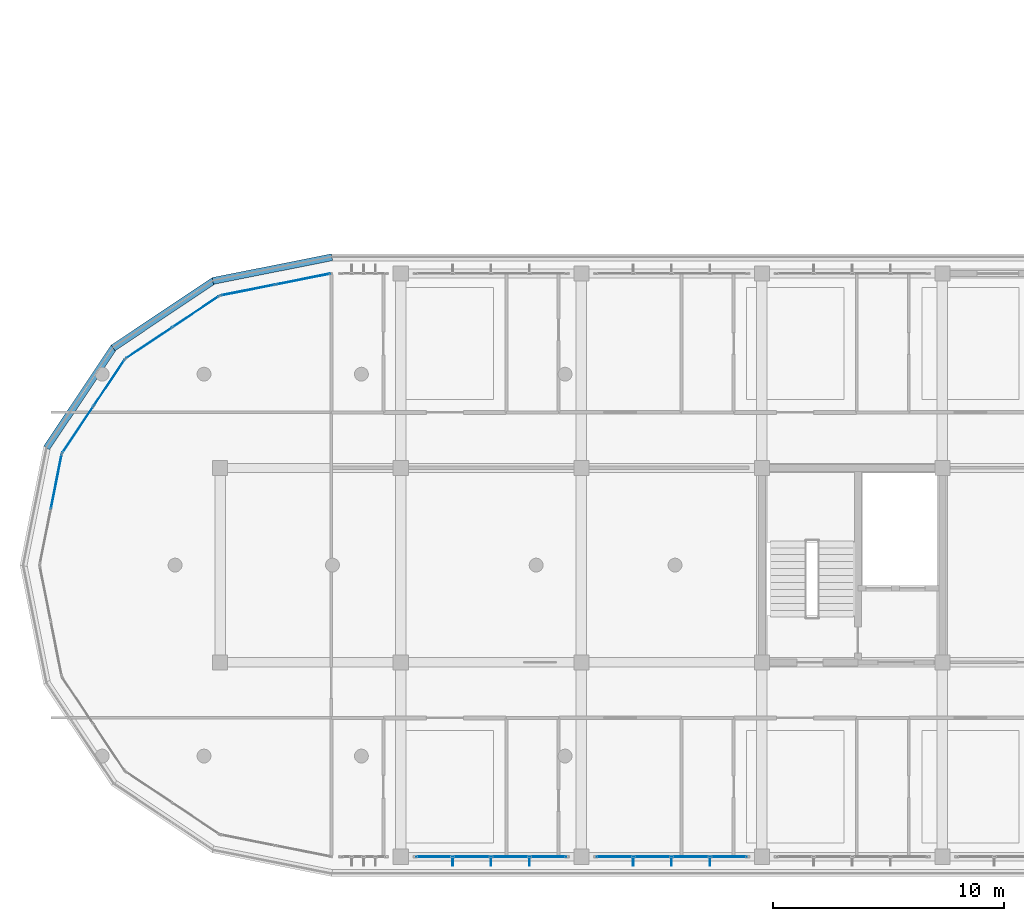
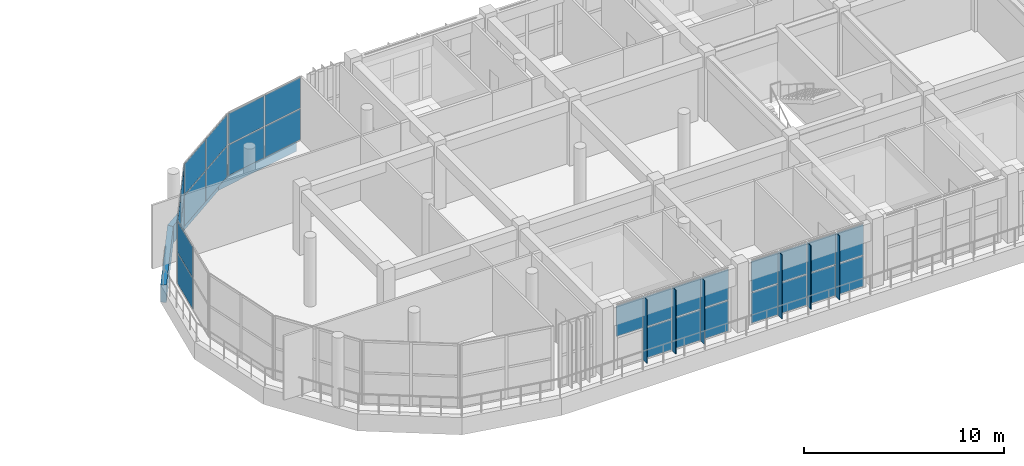
# One storey, part 38 of 63: 38 plates, 6 elements without a shape of their own.
"""IFC4 building model written with IfcOpenShell, lengths in metres."""

from ifc_helpers import new_model, si_unit, direction, frame, origin, origin_2d, place, context, subcontext, project, spatial, polyline, rectangle, outline, extrude, material, layer, layer_set, type_object, element, aggregate, save


model = new_model("IFC4")

# Units and contexts
model_context = context("Model", 3, precision=1e-05, world=origin(), true_north=direction((0.0, 1.0)))
body_context = subcontext(model_context, "Body", "Model", "MODEL_VIEW")
ifc_project = project(units=[si_unit("LENGTHUNIT", "METRE"), si_unit("AREAUNIT", "SQUARE_METRE"), si_unit("VOLUMEUNIT", "CUBIC_METRE"), si_unit("PLANEANGLEUNIT", "RADIAN"), si_unit("MASSUNIT", "GRAM", prefix="KILO")], contexts=[model_context])

# Site, building, storey
site_placement = place(None, origin())
site = spatial("IfcSite", under=ifc_project, at=site_placement, CompositionType="ELEMENT")
building_placement = place(site_placement, origin())
building = spatial("IfcBuilding", under=site, at=building_placement, Name="Zizhar Promenade General Hospital", CompositionType="ELEMENT")
storey_placement = place(building_placement, frame((0.0, 0.0, 18.0)))
storey = spatial("IfcBuildingStorey", under=building, at=storey_placement, Name="L04", CompositionType="ELEMENT", Elevation=18.0)

# Curtain wall, plates
ifc_material_1 = material(Name="Anodised aluminium 6063-T6 and low-E glass", Category="aluminium")
ifc_layer_1 = layer(ifc_material_1, 0.159912109375)
ifc_layer_set_1 = layer_set([ifc_layer_1], Name="Anodised aluminium 6063-T6 and low-E glass")
curtain_wall_type_1 = type_object("IfcCurtainWallType", Name="CW-WARD-ARC", PredefinedType="NOTDEFINED", material=ifc_layer_set_1)
curtain_wall_1_placement = place(storey_placement, origin())
curtain_wall_1 = element("IfcCurtainWall", 1, at=curtain_wall_1_placement, inside=storey, type_object=curtain_wall_type_1, Name="Ward Semicircular End Glazing L04-10", PredefinedType="NOTDEFINED")
ifc_material_2 = material(Name="Low-E solar-control glass", Category="glass")
ifc_layer_2 = layer(ifc_material_2, 0.031982421875)
ifc_layer_set_2 = layer_set([ifc_layer_2], Name="Low-E solar-control glass")
plate_type_1 = type_object("IfcPlateType", Name="CWP-GLZ-32", PredefinedType="CURTAIN_PANEL", material=ifc_layer_set_2)
plate_1_placement = place(storey_placement, frame((24.598388671875, 24.483642578125, 0.06005859375), z_axis=(0.0, 0.0, 1.0), x_axis=(0.980785889615, 0.195087259275, 0.0)))
plate_1 = element("IfcPlate", 2, at=plate_1_placement, type_object=plate_type_1, Name="CW-12 panel 1.1", PredefinedType="CURTAIN_PANEL", context=body_context, shape_type="SweptSolid", body=[
    extrude(rectangle(XDim=2.3681640625, YDim=0.031982421875, at=origin_2d()), origin(), (0.0, 0.0, 1.0), 1.860107421875),
])
plate_2_placement = place(storey_placement, frame((24.598388671875, 24.483642578125, 1.97998046875), z_axis=(0.0, 0.0, 1.0), x_axis=(0.980785889615, 0.195087259275, 0.0)))
plate_2 = element("IfcPlate", 3, at=plate_2_placement, type_object=plate_type_1, Name="CW-12 panel 1.2", PredefinedType="CURTAIN_PANEL", context=body_context, shape_type="SweptSolid", body=[
    extrude(rectangle(XDim=2.3681640625, YDim=0.031982421875, at=origin_2d()), origin(), (0.0, 0.0, 1.0), 1.860107421875),
])
plate_3_placement = place(storey_placement, frame((26.979736328125, 24.957275390625, 0.06005859375), z_axis=(0.0, 0.0, 1.0), x_axis=(0.980785889615, 0.195087259275, 0.0)))
plate_3 = element("IfcPlate", 4, at=plate_3_placement, type_object=plate_type_1, Name="CW-12 panel 2.1", PredefinedType="CURTAIN_PANEL", context=body_context, shape_type="SweptSolid", body=[
    extrude(rectangle(XDim=2.3681640625, YDim=0.031982421875, at=origin_2d()), origin(), (0.0, 0.0, 1.0), 1.860107421875),
])
plate_4_placement = place(storey_placement, frame((26.979736328125, 24.957275390625, 1.97998046875), z_axis=(0.0, 0.0, 1.0), x_axis=(0.980785889615, 0.195087259275, 0.0)))
plate_4 = element("IfcPlate", 5, at=plate_4_placement, type_object=plate_type_1, Name="CW-12 panel 2.2", PredefinedType="CURTAIN_PANEL", context=body_context, shape_type="SweptSolid", body=[
    extrude(rectangle(XDim=2.3681640625, YDim=0.031982421875, at=origin_2d()), origin(), (0.0, 0.0, 1.0), 1.860107421875),
])
aggregate(curtain_wall_1, [plate_1, plate_2, plate_3, plate_4])

curtain_wall_2_placement = place(storey_placement, origin())
curtain_wall_2 = element("IfcCurtainWall", 6, at=curtain_wall_2_placement, inside=storey, type_object=curtain_wall_type_1, Name="Ward Semicircular End Glazing L04-11", PredefinedType="NOTDEFINED")
plate_5_placement = place(storey_placement, frame((20.324951171875, 22.20068359375, 0.06005859375), z_axis=(0.0, 0.0, 1.0), x_axis=(0.831461514468, 0.555582352095, 0.0)))
plate_5 = element("IfcPlate", 7, at=plate_5_placement, type_object=plate_type_1, Name="CW-12 panel 1.1", PredefinedType="CURTAIN_PANEL", context=body_context, shape_type="SweptSolid", body=[
    extrude(rectangle(XDim=2.3681640625, YDim=0.031982421875, at=origin_2d()), origin(), (0.0, 0.0, 1.0), 1.860107421875),
])
plate_6_placement = place(storey_placement, frame((20.324951171875, 22.20068359375, 1.97998046875), z_axis=(0.0, 0.0, 1.0), x_axis=(0.831461514468, 0.555582352095, 0.0)))
plate_6 = element("IfcPlate", 8, at=plate_6_placement, type_object=plate_type_1, Name="CW-12 panel 1.2", PredefinedType="CURTAIN_PANEL", context=body_context, shape_type="SweptSolid", body=[
    extrude(rectangle(XDim=2.3681640625, YDim=0.031982421875, at=origin_2d()), origin(), (0.0, 0.0, 1.0), 1.860107421875),
])
plate_7_placement = place(storey_placement, frame((22.34375, 23.5498046875, 0.06005859375), z_axis=(0.0, 0.0, 1.0), x_axis=(0.831461514468, 0.555582352095, 0.0)))
plate_7 = element("IfcPlate", 9, at=plate_7_placement, type_object=plate_type_1, Name="CW-12 panel 2.1", PredefinedType="CURTAIN_PANEL", context=body_context, shape_type="SweptSolid", body=[
    extrude(rectangle(XDim=2.3681640625, YDim=0.031982421875, at=origin_2d()), origin(), (0.0, 0.0, 1.0), 1.860107421875),
])
plate_8_placement = place(storey_placement, frame((22.34375, 23.5498046875, 1.97998046875), z_axis=(0.0, 0.0, 1.0), x_axis=(0.831461514468, 0.555582352095, 0.0)))
plate_8 = element("IfcPlate", 10, at=plate_8_placement, type_object=plate_type_1, Name="CW-12 panel 2.2", PredefinedType="CURTAIN_PANEL", context=body_context, shape_type="SweptSolid", body=[
    extrude(rectangle(XDim=2.3681640625, YDim=0.031982421875, at=origin_2d()), origin(), (0.0, 0.0, 1.0), 1.860107421875),
])
aggregate(curtain_wall_2, [plate_5, plate_6, plate_7, plate_8])

curtain_wall_3_placement = place(storey_placement, origin())
curtain_wall_3 = element("IfcCurtainWall", 11, at=curtain_wall_3_placement, inside=storey, type_object=curtain_wall_type_1, Name="Ward Semicircular End Glazing L04-12", PredefinedType="NOTDEFINED")
plate_9_placement = place(storey_placement, frame((17.250244140625, 18.456298828125, 0.06005859375), z_axis=(0.0, 0.0, 1.0), x_axis=(0.555582352095, 0.831461514468, 0.0)))
plate_9 = element("IfcPlate", 12, at=plate_9_placement, type_object=plate_type_1, Name="CW-12 panel 1.1", PredefinedType="CURTAIN_PANEL", context=body_context, shape_type="SweptSolid", body=[
    extrude(rectangle(XDim=2.3681640625, YDim=0.031982421875, at=origin_2d()), origin(), (0.0, 0.0, 1.0), 1.860107421875),
])
plate_10_placement = place(storey_placement, frame((17.250244140625, 18.456298828125, 1.97998046875), z_axis=(0.0, 0.0, 1.0), x_axis=(0.555582352095, 0.831461514468, 0.0)))
plate_10 = element("IfcPlate", 13, at=plate_10_placement, type_object=plate_type_1, Name="CW-12 panel 1.2", PredefinedType="CURTAIN_PANEL", context=body_context, shape_type="SweptSolid", body=[
    extrude(rectangle(XDim=2.3681640625, YDim=0.031982421875, at=origin_2d()), origin(), (0.0, 0.0, 1.0), 1.860107421875),
])
plate_11_placement = place(storey_placement, frame((18.599365234375, 20.47509765625, 0.06005859375), z_axis=(0.0, 0.0, 1.0), x_axis=(0.555582352095, 0.831461514468, 0.0)))
plate_11 = element("IfcPlate", 14, at=plate_11_placement, type_object=plate_type_1, Name="CW-12 panel 2.1", PredefinedType="CURTAIN_PANEL", context=body_context, shape_type="SweptSolid", body=[
    extrude(rectangle(XDim=2.3681640625, YDim=0.031982421875, at=origin_2d()), origin(), (0.0, 0.0, 1.0), 1.860107421875),
])
plate_12_placement = place(storey_placement, frame((18.599365234375, 20.47509765625, 1.97998046875), z_axis=(0.0, 0.0, 1.0), x_axis=(0.555582352095, 0.831461514468, 0.0)))
plate_12 = element("IfcPlate", 15, at=plate_12_placement, type_object=plate_type_1, Name="CW-12 panel 2.2", PredefinedType="CURTAIN_PANEL", context=body_context, shape_type="SweptSolid", body=[
    extrude(rectangle(XDim=2.3681640625, YDim=0.031982421875, at=origin_2d()), origin(), (0.0, 0.0, 1.0), 1.860107421875),
])
aggregate(curtain_wall_3, [plate_9, plate_10, plate_11, plate_12])

curtain_wall_4_placement = place(storey_placement, origin())
curtain_wall_4 = element("IfcCurtainWall", 16, at=curtain_wall_4_placement, inside=storey, type_object=curtain_wall_type_1, Name="Ward Semicircular End Glazing L04-13", PredefinedType="NOTDEFINED")
plate_13_placement = place(storey_placement, frame((16.31640625, 16.20166015625, 0.06005859375), z_axis=(0.0, 0.0, 1.0), x_axis=(0.195087259275, 0.980785889615, 0.0)))
plate_13 = element("IfcPlate", 17, at=plate_13_placement, type_object=plate_type_1, Name="CW-12 panel 2.1", PredefinedType="CURTAIN_PANEL", context=body_context, shape_type="SweptSolid", body=[
    extrude(rectangle(XDim=2.3681640625, YDim=0.031982421875, at=origin_2d()), origin(), (0.0, 0.0, 1.0), 1.860107421875),
])
plate_14_placement = place(storey_placement, frame((16.31640625, 16.20166015625, 1.97998046875), z_axis=(0.0, 0.0, 1.0), x_axis=(0.195087259275, 0.980785889615, 0.0)))
plate_14 = element("IfcPlate", 18, at=plate_14_placement, type_object=plate_type_1, Name="CW-12 panel 2.2", PredefinedType="CURTAIN_PANEL", context=body_context, shape_type="SweptSolid", body=[
    extrude(rectangle(XDim=2.3681640625, YDim=0.031982421875, at=origin_2d()), origin(), (0.0, 0.0, 1.0), 1.860107421875),
])
aggregate(curtain_wall_4, [plate_13, plate_14])

ifc_material_3 = material(Name="Anodised aluminium 6063-T6 and low-E glass", Category="aluminium")
ifc_layer_3 = layer(ifc_material_3, 0.159912109375)
ifc_layer_set_3 = layer_set([ifc_layer_3], Name="Anodised aluminium 6063-T6 and low-E glass")
curtain_wall_type_2 = type_object("IfcCurtainWallType", Name="CW-WARD-RIB", PredefinedType="NOTDEFINED", material=ifc_layer_set_3)
curtain_wall_5_placement = place(storey_placement, origin())
curtain_wall_5 = element("IfcCurtainWall", 19, at=curtain_wall_5_placement, inside=storey, type_object=curtain_wall_type_2, Name="Ward Ribbon Curtain Wall L04-17-9", PredefinedType="NOTDEFINED")
plate_15_placement = place(storey_placement, frame((45.3701171875, 0.0, 0.06005859375), z_axis=(0.0, 0.0, 1.0), x_axis=(-1.0, 0.0, 0.0)))
plate_15 = element("IfcPlate", 20, at=plate_15_placement, type_object=plate_type_1, Name="CW-13 panel 1.1", PredefinedType="CURTAIN_PANEL", context=body_context, shape_type="SweptSolid", body=[
    extrude(rectangle(XDim=1.5400390625, YDim=0.031982421875, at=origin_2d()), origin(), (0.0, 0.0, 1.0), 1.860107421875),
])
plate_16_placement = place(storey_placement, frame((45.3701171875, 0.0, 1.97998046875), z_axis=(0.0, 0.0, 1.0), x_axis=(-1.0, 0.0, 0.0)))
plate_16 = element("IfcPlate", 21, at=plate_16_placement, type_object=plate_type_1, Name="CW-13 panel 1.2", PredefinedType="CURTAIN_PANEL", context=body_context, shape_type="SweptSolid", body=[
    extrude(rectangle(XDim=1.5400390625, YDim=0.031982421875, at=origin_2d()), origin(), (0.0, 0.0, 1.0), 1.860107421875),
])
plate_17_placement = place(storey_placement, frame((43.72998046875, 0.0, 0.06005859375), z_axis=(0.0, 0.0, 1.0), x_axis=(-1.0, 0.0, 0.0)))
plate_17 = element("IfcPlate", 22, at=plate_17_placement, type_object=plate_type_1, Name="CW-13 panel 2.1", PredefinedType="CURTAIN_PANEL", context=body_context, shape_type="SweptSolid", body=[
    extrude(rectangle(XDim=1.580078125, YDim=0.031982421875, at=origin_2d()), origin(), (0.0, 0.0, 1.0), 1.860107421875),
])
plate_18_placement = place(storey_placement, frame((43.72998046875, 0.0, 1.97998046875), z_axis=(0.0, 0.0, 1.0), x_axis=(-1.0, 0.0, 0.0)))
plate_18 = element("IfcPlate", 23, at=plate_18_placement, type_object=plate_type_1, Name="CW-13 panel 2.2", PredefinedType="CURTAIN_PANEL", context=body_context, shape_type="SweptSolid", body=[
    extrude(rectangle(XDim=1.580078125, YDim=0.031982421875, at=origin_2d()), origin(), (0.0, 0.0, 1.0), 1.860107421875),
])
plate_19_placement = place(storey_placement, frame((42.070068359375, 0.0, 0.06005859375), z_axis=(0.0, 0.0, 1.0), x_axis=(-1.0, 0.0, 0.0)))
plate_19 = element("IfcPlate", 24, at=plate_19_placement, type_object=plate_type_1, Name="CW-13 panel 3.1", PredefinedType="CURTAIN_PANEL", context=body_context, shape_type="SweptSolid", body=[
    extrude(rectangle(XDim=1.580078125, YDim=0.031982421875, at=origin_2d()), origin(), (0.0, 0.0, 1.0), 1.860107421875),
])
plate_20_placement = place(storey_placement, frame((42.070068359375, 0.0, 1.97998046875), z_axis=(0.0, 0.0, 1.0), x_axis=(-1.0, 0.0, 0.0)))
plate_20 = element("IfcPlate", 25, at=plate_20_placement, type_object=plate_type_1, Name="CW-13 panel 3.2", PredefinedType="CURTAIN_PANEL", context=body_context, shape_type="SweptSolid", body=[
    extrude(rectangle(XDim=1.580078125, YDim=0.031982421875, at=origin_2d()), origin(), (0.0, 0.0, 1.0), 1.860107421875),
])
plate_21_placement = place(storey_placement, frame((40.429931640625, 0.0, 0.06005859375), z_axis=(0.0, 0.0, 1.0), x_axis=(-1.0, 0.0, 0.0)))
plate_21 = element("IfcPlate", 26, at=plate_21_placement, type_object=plate_type_1, Name="CW-13 panel 4.1", PredefinedType="CURTAIN_PANEL", context=body_context, shape_type="SweptSolid", body=[
    extrude(rectangle(XDim=1.5400390625, YDim=0.031982421875, at=origin_2d()), origin(), (0.0, 0.0, 1.0), 1.860107421875),
])
plate_22_placement = place(storey_placement, frame((40.429931640625, 0.0, 1.97998046875), z_axis=(0.0, 0.0, 1.0), x_axis=(-1.0, 0.0, 0.0)))
plate_22 = element("IfcPlate", 27, at=plate_22_placement, type_object=plate_type_1, Name="CW-13 panel 4.2", PredefinedType="CURTAIN_PANEL", context=body_context, shape_type="SweptSolid", body=[
    extrude(rectangle(XDim=1.5400390625, YDim=0.031982421875, at=origin_2d()), origin(), (0.0, 0.0, 1.0), 1.860107421875),
])
aggregate(curtain_wall_5, [plate_15, plate_16, plate_17, plate_18, plate_19, plate_20, plate_21, plate_22])

curtain_wall_6_placement = place(storey_placement, origin())
curtain_wall_6 = element("IfcCurtainWall", 28, at=curtain_wall_6_placement, inside=storey, type_object=curtain_wall_type_2, Name="Ward Ribbon Curtain Wall L04-17-10", PredefinedType="NOTDEFINED")
plate_23_placement = place(storey_placement, frame((37.570068359375, 0.0, 0.06005859375), z_axis=(0.0, 0.0, 1.0), x_axis=(-1.0, 0.0, 0.0)))
plate_23 = element("IfcPlate", 29, at=plate_23_placement, type_object=plate_type_1, Name="CW-13 panel 1.1", PredefinedType="CURTAIN_PANEL", context=body_context, shape_type="SweptSolid", body=[
    extrude(rectangle(XDim=1.5400390625, YDim=0.031982421875, at=origin_2d()), origin(), (0.0, 0.0, 1.0), 1.860107421875),
])
plate_24_placement = place(storey_placement, frame((37.570068359375, 0.0, 1.97998046875), z_axis=(0.0, 0.0, 1.0), x_axis=(-1.0, 0.0, 0.0)))
plate_24 = element("IfcPlate", 30, at=plate_24_placement, type_object=plate_type_1, Name="CW-13 panel 1.2", PredefinedType="CURTAIN_PANEL", context=body_context, shape_type="SweptSolid", body=[
    extrude(rectangle(XDim=1.5400390625, YDim=0.031982421875, at=origin_2d()), origin(), (0.0, 0.0, 1.0), 1.860107421875),
])
plate_25_placement = place(storey_placement, frame((35.929931640625, 0.0, 0.06005859375), z_axis=(0.0, 0.0, 1.0), x_axis=(-1.0, 0.0, 0.0)))
plate_25 = element("IfcPlate", 31, at=plate_25_placement, type_object=plate_type_1, Name="CW-13 panel 2.1", PredefinedType="CURTAIN_PANEL", context=body_context, shape_type="SweptSolid", body=[
    extrude(rectangle(XDim=1.580078125, YDim=0.031982421875, at=origin_2d()), origin(), (0.0, 0.0, 1.0), 1.860107421875),
])
plate_26_placement = place(storey_placement, frame((35.929931640625, 0.0, 1.97998046875), z_axis=(0.0, 0.0, 1.0), x_axis=(-1.0, 0.0, 0.0)))
plate_26 = element("IfcPlate", 32, at=plate_26_placement, type_object=plate_type_1, Name="CW-13 panel 2.2", PredefinedType="CURTAIN_PANEL", context=body_context, shape_type="SweptSolid", body=[
    extrude(rectangle(XDim=1.580078125, YDim=0.031982421875, at=origin_2d()), origin(), (0.0, 0.0, 1.0), 1.860107421875),
])
plate_27_placement = place(storey_placement, frame((34.27001953125, 0.0, 0.06005859375), z_axis=(0.0, 0.0, 1.0), x_axis=(-1.0, 0.0, 0.0)))
plate_27 = element("IfcPlate", 33, at=plate_27_placement, type_object=plate_type_1, Name="CW-13 panel 3.1", PredefinedType="CURTAIN_PANEL", context=body_context, shape_type="SweptSolid", body=[
    extrude(rectangle(XDim=1.580078125, YDim=0.031982421875, at=origin_2d()), origin(), (0.0, 0.0, 1.0), 1.860107421875),
])
plate_28_placement = place(storey_placement, frame((34.27001953125, 0.0, 1.97998046875), z_axis=(0.0, 0.0, 1.0), x_axis=(-1.0, 0.0, 0.0)))
plate_28 = element("IfcPlate", 34, at=plate_28_placement, type_object=plate_type_1, Name="CW-13 panel 3.2", PredefinedType="CURTAIN_PANEL", context=body_context, shape_type="SweptSolid", body=[
    extrude(rectangle(XDim=1.580078125, YDim=0.031982421875, at=origin_2d()), origin(), (0.0, 0.0, 1.0), 1.860107421875),
])
plate_29_placement = place(storey_placement, frame((32.6298828125, 0.0, 1.97998046875), z_axis=(0.0, 0.0, 1.0), x_axis=(-1.0, 0.0, 0.0)))
plate_29 = element("IfcPlate", 35, at=plate_29_placement, type_object=plate_type_1, Name="CW-13 panel 4.2", PredefinedType="CURTAIN_PANEL", context=body_context, shape_type="SweptSolid", body=[
    extrude(rectangle(XDim=1.5400390625, YDim=0.031982421875, at=origin_2d()), origin(), (0.0, 0.0, 1.0), 1.860107421875),
])
aggregate(curtain_wall_6, [plate_23, plate_24, plate_25, plate_26, plate_27, plate_28, plate_29])

# Plates
ifc_material_4 = material(Name="Anodised aluminium 6063-T6", Category="aluminium")
ifc_layer_4 = layer(ifc_material_4, 0.035888671875)
ifc_layer_set_4 = layer_set([ifc_layer_4], Name="Anodised aluminium 6063-T6")
plate_type_2 = type_object("IfcPlateType", Name="FIN-ALU-380", PredefinedType="USERDEFINED", material=ifc_layer_set_4)
plate_30_placement = place(storey_placement, origin())
element("IfcPlate", 36, at=plate_30_placement, inside=storey, type_object=plate_type_2, Name="Ward Ribbon Curtain Wall L04-17-9 Solar Fin 1", ObjectType="SOLAR_SHADE", PredefinedType="USERDEFINED", context=body_context, shape_type="SweptSolid", body=[
    extrude(outline(polyline([(44.577880859375, 0.0), (44.5419921875, 0.0), (44.5419921875, -0.3798828125), (44.577880859375, -0.3798828125), (44.577880859375, 0.0)])), origin(), (0.0, 0.0, 1.0), 3.89990234375),
])
plate_31_placement = place(storey_placement, origin())
element("IfcPlate", 37, at=plate_31_placement, inside=storey, type_object=plate_type_2, Name="Ward Ribbon Curtain Wall L04-17-9 Solar Fin 2", ObjectType="SOLAR_SHADE", PredefinedType="USERDEFINED", context=body_context, shape_type="SweptSolid", body=[
    extrude(outline(polyline([(42.91796875, 0.0), (42.882080078125, 0.0), (42.882080078125, -0.3798828125), (42.91796875, -0.3798828125), (42.91796875, 0.0)])), origin(), (0.0, 0.0, 1.0), 3.89990234375),
])
plate_32_placement = place(storey_placement, origin())
element("IfcPlate", 38, at=plate_32_placement, inside=storey, type_object=plate_type_2, Name="Ward Ribbon Curtain Wall L04-17-9 Solar Fin 3", ObjectType="SOLAR_SHADE", PredefinedType="USERDEFINED", context=body_context, shape_type="SweptSolid", body=[
    extrude(outline(polyline([(41.258056640625, 0.0), (41.221923828125, 0.0), (41.221923828125, -0.3798828125), (41.258056640625, -0.3798828125), (41.258056640625, 0.0)])), origin(), (0.0, 0.0, 1.0), 3.89990234375),
])
plate_33_placement = place(storey_placement, origin())
element("IfcPlate", 39, at=plate_33_placement, inside=storey, type_object=plate_type_2, Name="Ward Ribbon Curtain Wall L04-17-10 Solar Fin 1", ObjectType="SOLAR_SHADE", PredefinedType="USERDEFINED", context=body_context, shape_type="SweptSolid", body=[
    extrude(outline(polyline([(36.778076171875, 0.0), (36.741943359375, 0.0), (36.741943359375, -0.3798828125), (36.778076171875, -0.3798828125), (36.778076171875, 0.0)])), origin(), (0.0, 0.0, 1.0), 3.89990234375),
])
plate_34_placement = place(storey_placement, origin())
element("IfcPlate", 40, at=plate_34_placement, inside=storey, type_object=plate_type_2, Name="Ward Ribbon Curtain Wall L04-17-10 Solar Fin 2", ObjectType="SOLAR_SHADE", PredefinedType="USERDEFINED", context=body_context, shape_type="SweptSolid", body=[
    extrude(outline(polyline([(35.117919921875, 0.0), (35.08203125, 0.0), (35.08203125, -0.3798828125), (35.117919921875, -0.3798828125), (35.117919921875, 0.0)])), origin(), (0.0, 0.0, 1.0), 3.89990234375),
])
plate_35_placement = place(storey_placement, origin())
element("IfcPlate", 41, at=plate_35_placement, inside=storey, type_object=plate_type_2, Name="Ward Ribbon Curtain Wall L04-17-10 Solar Fin 3", ObjectType="SOLAR_SHADE", PredefinedType="USERDEFINED", context=body_context, shape_type="SweptSolid", body=[
    extrude(outline(polyline([(33.4580078125, 0.0), (33.422119140625, 0.0), (33.422119140625, -0.3798828125), (33.4580078125, -0.3798828125), (33.4580078125, 0.0)])), origin(), (0.0, 0.0, 1.0), 3.89990234375),
])
ifc_material_5 = material(Name="Precast concrete C40/50", Category="concrete")
ifc_layer_5 = layer(ifc_material_5, 0.300048828125)
ifc_layer_set_5 = layer_set([ifc_layer_5], Name="Precast concrete C40/50")
plate_type_3 = type_object("IfcPlateType", Name="PL-PC-BAND1100", PredefinedType="USERDEFINED", material=ifc_layer_set_5)
plate_36_placement = place(storey_placement, frame((0.0, 0.0, -1.050048828125)))
element("IfcPlate", 42, at=plate_36_placement, inside=storey, type_object=plate_type_3, Name="Ward Precast Slab Band L04-10", ObjectType="FASCIA_BAND", PredefinedType="USERDEFINED", context=body_context, shape_type="SweptSolid", body=[
    extrude(outline(polyline([(28.199951171875, 26.050048828125), (23.052978515625, 25.026123046875), (23.111328125, 24.73193359375), (28.258544921875, 25.755859375), (28.199951171875, 26.050048828125)])), origin(), (0.0, 0.0, 1.0), 1.050048828125),
])
plate_37_placement = place(storey_placement, frame((0.0, 0.0, -1.050048828125)))
element("IfcPlate", 43, at=plate_37_placement, inside=storey, type_object=plate_type_3, Name="Ward Precast Slab Band L04-11", ObjectType="FASCIA_BAND", PredefinedType="USERDEFINED", context=body_context, shape_type="SweptSolid", body=[
    extrude(outline(polyline([(23.052978515625, 25.026123046875), (18.689453125, 22.110595703125), (18.856201171875, 21.861083984375), (23.219482421875, 24.77685546875), (23.052978515625, 25.026123046875)])), origin(), (0.0, 0.0, 1.0), 1.050048828125),
])
plate_38_placement = place(storey_placement, frame((0.0, 0.0, -1.050048828125)))
element("IfcPlate", 44, at=plate_38_placement, inside=storey, type_object=plate_type_3, Name="Ward Precast Slab Band L04-12", ObjectType="FASCIA_BAND", PredefinedType="USERDEFINED", context=body_context, shape_type="SweptSolid", body=[
    extrude(outline(polyline([(18.689453125, 22.110595703125), (15.773681640625, 17.7470703125), (16.023193359375, 17.580322265625), (18.938720703125, 21.94384765625), (18.689453125, 22.110595703125)])), origin(), (0.0, 0.0, 1.0), 1.050048828125),
])

save(model, "model.ifc")
